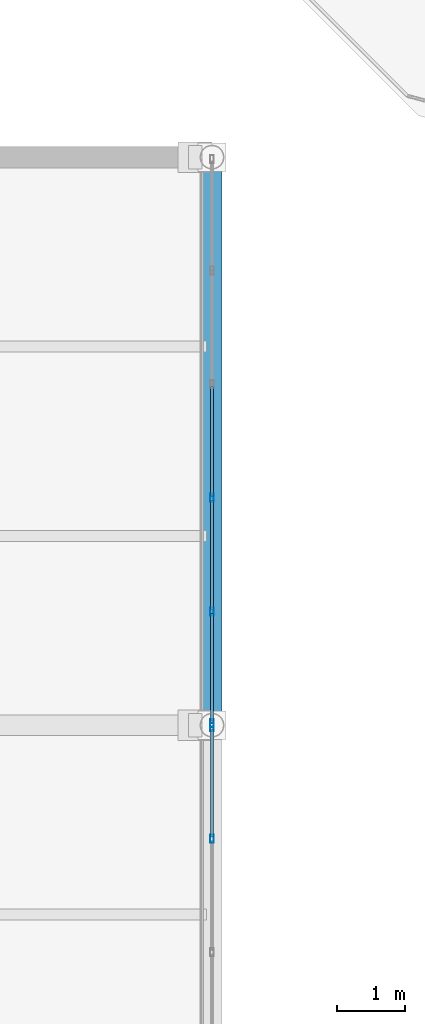
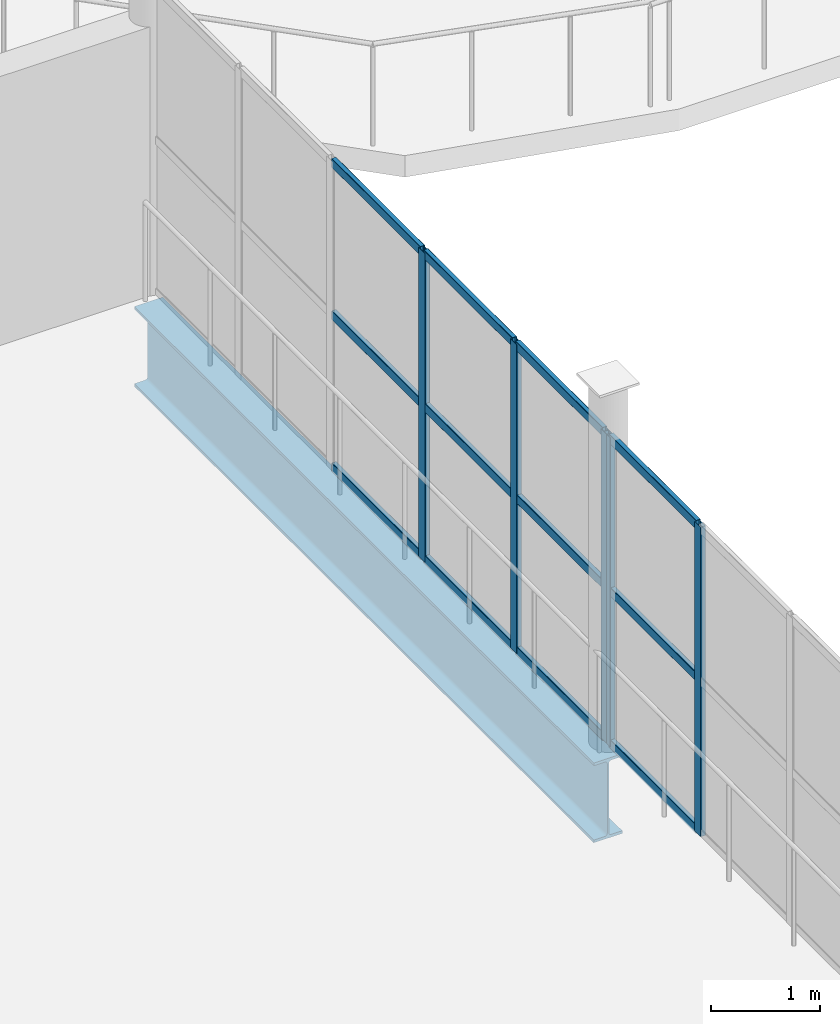
# One storey, part 66 of 184: 17 members, 1 beam, 2 elements without a shape of their own.
"""IFC4 building model written with IfcOpenShell, lengths in metres."""

import ifcopenshell
import ifcopenshell.guid

model = None  # the IFC model being written
_history = None  # IfcOwnerHistory: only IFC2X3 demands one
_inside = {}  # id of a spatial element -> (the spatial element, [elements in it])
_under = {}  # id of a project, library or spatial element -> (it, [spatial elements below it])
_declared = {}  # id of a project -> (the project, [libraries it declares])
_typed = {}  # id of a type object -> (the type object, [elements of that type])
_made_of = {}  # id of a material, layer set ... -> (it, [elements and type objects made of it])


def new_model(schema):
    """Start an empty IFC model of exactly this schema.

    Asked for "IFC4X3", IfcOpenShell would pick the latest addendum, in which some entities
    have other attributes; the version numbers below select the first issue.
    IFC2X3 requires an IfcOwnerHistory on every rooted entity: one is made here for all.
    """
    global model, _history
    if schema == "IFC4X3":
        model = ifcopenshell.file(schema_version=(4, 3, 0, 0))
    else:
        model = ifcopenshell.file(schema=schema)
    _inside.clear()
    _under.clear()
    _declared.clear()
    _typed.clear()
    _made_of.clear()
    _history = None
    if model.schema == "IFC2X3":
        org = make("IfcOrganization", Name="unknown")
        user = make(
            "IfcPersonAndOrganization",
            ThePerson=make("IfcPerson", FamilyName="unknown"),
            TheOrganization=org,
        )
        app = make(
            "IfcApplication",
            ApplicationDeveloper=org,
            Version="unknown",
            ApplicationFullName="unknown",
            ApplicationIdentifier="unknown",
        )
        _history = make(
            "IfcOwnerHistory",
            OwningUser=user,
            OwningApplication=app,
            ChangeAction="ADDED",
            CreationDate=0,
        )
    return model


def make(cls, **values):
    """One entity of the class cls with the attributes given. An attribute that is None is left unset."""
    return model.create_entity(
        cls, **{name: value for name, value in values.items() if value is not None}
    )


def rooted(cls, **values):
    """An entity with a GlobalId (a new one), such as an element, a storey or a relation."""
    return make(cls, GlobalId=ifcopenshell.guid.new(), OwnerHistory=_history, **values)


def si_unit(unit_type, name, prefix=None):
    """IfcSIUnit, for example si_unit("LENGTHUNIT", "METRE", prefix="MILLI")."""
    return make("IfcSIUnit", UnitType=unit_type, Prefix=prefix, Name=name)


def assignment(units):
    """IfcUnitAssignment: the units of a project."""
    return None if units is None else make("IfcUnitAssignment", Units=units)


def point(xyz):
    """IfcCartesianPoint."""
    return None if xyz is None else make("IfcCartesianPoint", Coordinates=xyz)


def direction(xyz):
    """IfcDirection."""
    return None if xyz is None else make("IfcDirection", DirectionRatios=xyz)


def frame(location, z_axis=None, x_axis=None):
    """IfcAxis2Placement3D, a coordinate frame: its origin and axes. An axis left out is left unset."""
    return make(
        "IfcAxis2Placement3D",
        Location=point(location),
        Axis=direction(z_axis),
        RefDirection=direction(x_axis),
    )


def frame_2d(location, x_axis=None):
    """IfcAxis2Placement2D, a coordinate frame in the plane: its origin and x axis."""
    return make(
        "IfcAxis2Placement2D", Location=point(location), RefDirection=direction(x_axis)
    )


def origin():
    """The frame at (0, 0, 0) with its axes left unset."""
    return frame((0.0, 0.0, 0.0))


def origin_2d():
    """The frame at (0, 0) in the plane with its x axis left unset."""
    return frame_2d((0.0, 0.0))


def place(relative_to, where):
    """IfcLocalPlacement: puts the frame where relative to a parent placement (None: the world)."""
    return make(
        "IfcLocalPlacement", PlacementRelTo=relative_to, RelativePlacement=where
    )


def context(
    kind, dimensions, precision=None, world=None, true_north=None, identifier=None
):
    """IfcGeometricRepresentationContext, for example the 3D "Model" context."""
    return make(
        "IfcGeometricRepresentationContext",
        ContextIdentifier=identifier,
        ContextType=kind,
        CoordinateSpaceDimension=dimensions,
        Precision=precision,
        WorldCoordinateSystem=world,
        TrueNorth=true_north,
    )


def subcontext(parent, identifier, kind, view, scale=None):
    """IfcGeometricRepresentationSubContext, for example "Body" below "Model"."""
    return make(
        "IfcGeometricRepresentationSubContext",
        ContextIdentifier=identifier,
        ContextType=kind,
        ParentContext=parent,
        TargetScale=scale,
        TargetView=view,
    )


def project(units=None, contexts=None):
    """IfcProject with its units and contexts."""
    return rooted(
        "IfcProject",
        Name="project",
        RepresentationContexts=contexts,
        UnitsInContext=assignment(units),
    )


def spatial(cls, under=None, at=None, **own):
    """A site, building, storey or space (cls), placed at a placement, below another one or the project."""
    s = rooted(cls, ObjectPlacement=at, **own)
    if under is not None:
        _under.setdefault(under.id(), (under, []))[1].append(s)
    return s


def profile(cls, at=None, kind="AREA", **sizes):
    """A parametric profile (cls). Its sizes go by their IFC names, for example OverallWidth=200.0."""
    return make(cls, ProfileType=kind, Position=at, **sizes)


def hollow_rectangle(**sizes):
    """IfcRectangleHollowProfileDef."""
    return profile("IfcRectangleHollowProfileDef", **sizes)


def i_section(**sizes):
    """IfcIShapeProfileDef."""
    return profile("IfcIShapeProfileDef", **sizes)


def extrude(swept, where, along, depth):
    """IfcExtrudedAreaSolid: the profile swept, set in the frame where, extruded along a direction by depth."""
    return make(
        "IfcExtrudedAreaSolid",
        SweptArea=swept,
        Position=where,
        ExtrudedDirection=direction(along),
        Depth=depth,
    )


def shape(context_of_items, identifier, shape_type, items):
    """IfcShapeRepresentation: the items that make up one representation, for example the "Body"."""
    return make(
        "IfcShapeRepresentation",
        ContextOfItems=context_of_items,
        RepresentationIdentifier=identifier,
        RepresentationType=shape_type,
        Items=items,
    )


def material(Name=None, Category=None):
    """IfcMaterial."""
    return make("IfcMaterial", Name=Name, Category=Category)


def layer(
    of_material, thickness, ventilated=None, Name=None, Category=None, Priority=None
):
    """IfcMaterialLayer: one layer of a wall or slab, of a material (None: an air gap)."""
    return make(
        "IfcMaterialLayer",
        Material=of_material,
        LayerThickness=thickness,
        IsVentilated=ventilated,
        Name=Name,
        Category=Category,
        Priority=Priority,
    )


def layer_set(layers, Name=None):
    """IfcMaterialLayerSet."""
    return make("IfcMaterialLayerSet", MaterialLayers=layers, LayerSetName=Name)


def material_profile(
    of_material, cross_section, Name=None, Category=None, Priority=None
):
    """IfcMaterialProfile: a cross section and its material."""
    return make(
        "IfcMaterialProfile",
        Name=Name,
        Material=of_material,
        Profile=cross_section,
        Priority=Priority,
        Category=Category,
    )


def profile_set(profiles, Name=None, composite=None):
    """IfcMaterialProfileSet."""
    return make(
        "IfcMaterialProfileSet",
        Name=Name,
        MaterialProfiles=profiles,
        CompositeProfile=composite,
    )


def made_of(thing, what):
    """Note that an element or type object is made of a material, layer set ...; save() writes the relation."""
    if what is not None:
        _made_of.setdefault(what.id(), (what, []))[1].append(thing)
    return thing


def type_object(cls, material=None, **own):
    """A type object (cls), such as IfcWallType, which elements share."""
    return made_of(rooted(cls, **own), material)


def element(
    cls,
    number,
    at=None,
    inside=None,
    cuts=None,
    type_object=None,
    material=None,
    context=None,
    identifier="Body",
    shape_type=None,
    held_by="IfcProductDefinitionShape",
    body=None,
    shapes=None,
    **own,
):
    """One element of the class cls, such as IfcWall. Its Tag is "e" and its number.

    at: its placement. inside: the storey or other place that contains it. cuts: it is an
    opening in that element (IfcRelVoidsElement). A single representation is given by context,
    identifier, shape_type and body (its items); several are given by shapes. held_by: the class
    of the entity that holds the representations. save() writes the other relations.
    """
    e = rooted(cls, Tag="e%d" % number, ObjectPlacement=at, **own)
    if body is not None:
        shapes = [shape(context, identifier, shape_type, body)]
    if shapes is not None:
        e.Representation = make(held_by, Representations=shapes)
    if inside is not None:
        _inside.setdefault(inside.id(), (inside, []))[1].append(e)
    if cuts is not None:
        rooted(
            "IfcRelVoidsElement", RelatingBuildingElement=cuts, RelatedOpeningElement=e
        )
    if type_object is not None:
        _typed.setdefault(type_object.id(), (type_object, []))[1].append(e)
    return made_of(e, material)


def aggregate(whole, parts):
    """IfcRelAggregates: a whole, such as a stair, and the parts it consists of."""
    return rooted("IfcRelAggregates", RelatingObject=whole, RelatedObjects=parts)


def save(model, path):
    """Write the relations noted so far, then the file.

    IfcRelAggregates (storeys below a building ...), IfcRelContainedInSpatialStructure (elements
    in a storey), IfcRelDefinesByType, IfcRelAssociatesMaterial and IfcRelDeclares: one each for
    every whole, place, type object, material and project.
    """
    for whole, parts in _under.values():
        aggregate(whole, parts)
    for where, things in _inside.values():
        rooted(
            "IfcRelContainedInSpatialStructure",
            RelatedElements=things,
            RelatingStructure=where,
        )
    for kind, things in _typed.values():
        rooted("IfcRelDefinesByType", RelatedObjects=things, RelatingType=kind)
    for what, things in _made_of.values():
        rooted("IfcRelAssociatesMaterial", RelatedObjects=things, RelatingMaterial=what)
    for by, libraries in _declared.values():
        rooted("IfcRelDeclares", RelatingContext=by, RelatedDefinitions=libraries)
    model.write(path)


model = new_model("IFC4")

# Units and contexts
model_context = context("Model", 3, precision=1e-05, world=origin(), true_north=direction((0.0, 1.0)))
body_context = subcontext(model_context, "Body", "Model", "MODEL_VIEW")
ifc_project = project(units=[si_unit("LENGTHUNIT", "METRE"), si_unit("AREAUNIT", "SQUARE_METRE"), si_unit("VOLUMEUNIT", "CUBIC_METRE"), si_unit("PLANEANGLEUNIT", "RADIAN"), si_unit("MASSUNIT", "GRAM", prefix="KILO")], contexts=[model_context])

# Site, building, storey
site_placement = place(None, origin())
site = spatial("IfcSite", under=ifc_project, at=site_placement, CompositionType="ELEMENT")
building_placement = place(site_placement, origin())
building = spatial("IfcBuilding", under=site, at=building_placement, Name="Qalvenar Corner Mobility Hub", CompositionType="ELEMENT")
storey_placement = place(building_placement, frame((0.0, 0.0, 9.0)))
storey = spatial("IfcBuildingStorey", under=building, at=storey_placement, Name="L02", CompositionType="ELEMENT", Elevation=9.0)

# Beam
ifc_material_1 = material(Name="Steel S355", Category="steel")
ifc_material_profile_1 = material_profile(ifc_material_1, i_section(OverallWidth=0.300048828125, OverallDepth=0.889892578125, WebThickness=0.01611328125, FlangeThickness=0.030029296875, FilletRadius=0.027099609375, at=origin_2d()), Name="HEA900")
ifc_profile_set_1 = profile_set([ifc_material_profile_1], Name="Steel S355")
beam_type = type_object("IfcBeamType", Name="BM-BRG900", PredefinedType="BEAM", material=ifc_profile_set_1)
beam_placement = place(storey_placement, frame((58.800048828125, 58.800048828125, -0.635009765625), z_axis=(0.0, 1.0, 0.0), x_axis=(-1.0, 0.0, 0.0)))
element("IfcBeam", 1, at=beam_placement, inside=storey, type_object=beam_type, Name="Court Link Bridge Girder BRG-2179", PredefinedType="BEAM", context=body_context, shape_type="SweptSolid", body=[
    extrude(i_section(OverallWidth=0.300048828125, OverallDepth=0.889892578125, WebThickness=0.01611328125, FlangeThickness=0.030029296875, FilletRadius=0.027099609375, at=origin_2d()), origin(), (0.0, 0.0, 1.0), 8.39990234375),
])

# Curtain wall, members
ifc_material_2 = material(Name="Anodised Aluminium and Low-E Glazing", Category="aluminium")
ifc_layer = layer(ifc_material_2, 0.1201171875)
ifc_layer_set = layer_set([ifc_layer], Name="Anodised Aluminium and Low-E Glazing")
curtain_wall_type = type_object("IfcCurtainWallType", Name="CW-BRG-84X28", PredefinedType="NOTDEFINED", material=ifc_layer_set)
curtain_wall_1_placement = place(storey_placement, origin())
curtain_wall_1 = element("IfcCurtainWall", 2, at=curtain_wall_1_placement, inside=storey, type_object=curtain_wall_type, Name="Glazed Curtain Wall CW-BRG-L02-E2", PredefinedType="NOTDEFINED")
ifc_material_3 = material(Name="Anodised Aluminium 6063-T6", Category="aluminium")
ifc_material_profile_2 = material_profile(ifc_material_3, hollow_rectangle(XDim=0.054931640625, YDim=0.1201171875, WallThickness=0.00341796875, InnerFilletRadius=0.00341796875, OuterFilletRadius=0.007080078125, at=origin_2d()), Name="RHS120x55x3.5")
ifc_profile_set_2 = profile_set([ifc_material_profile_2], Name="Anodised Aluminium 6063-T6")
member_type_1 = type_object("IfcMemberType", Name="CW-MUL120", PredefinedType="MULLION", material=ifc_profile_set_2)
member_1_placement = place(storey_placement, frame((58.800048828125, 57.1201171875, 0.0), z_axis=(0.0, 0.0, 1.0), x_axis=(-1.0, 0.0, 0.0)))
member_1 = element("IfcMember", 3, at=member_1_placement, type_object=member_type_1, Name="CW-11 mullion 5", PredefinedType="MULLION", context=body_context, shape_type="SweptSolid", body=[
    extrude(hollow_rectangle(XDim=0.054931640625, YDim=0.1201171875, WallThickness=0.00341796875, InnerFilletRadius=0.00341796875, OuterFilletRadius=0.007080078125, at=origin_2d()), origin(), (0.0, 0.0, 1.0), 3.449951171875),
])
member_2_placement = place(storey_placement, frame((58.800048828125, 58.77001953125, 0.0), z_axis=(0.0, 0.0, 1.0), x_axis=(-1.0, 0.0, 0.0)))
member_2 = element("IfcMember", 4, at=member_2_placement, type_object=member_type_1, Name="CW-11 mullion 6", PredefinedType="MULLION", context=body_context, shape_type="SweptSolid", body=[
    extrude(hollow_rectangle(XDim=0.054931640625, YDim=0.1201171875, WallThickness=0.00341796875, InnerFilletRadius=0.00341796875, OuterFilletRadius=0.007080078125, at=origin_2d()), origin(), (0.0, 0.0, 1.0), 3.449951171875),
])

curtain_wall_2_placement = place(storey_placement, origin())
curtain_wall_2 = element("IfcCurtainWall", 5, at=curtain_wall_2_placement, inside=storey, type_object=curtain_wall_type, Name="Glazed Curtain Wall CW-BRG-L02-E3", PredefinedType="NOTDEFINED")
member_3_placement = place(storey_placement, frame((58.800048828125, 58.830078125, 0.0), z_axis=(0.0, 0.0, 1.0), x_axis=(-1.0, 0.0, 0.0)))
member_3 = element("IfcMember", 6, at=member_3_placement, type_object=member_type_1, Name="CW-11 mullion 1", PredefinedType="MULLION", context=body_context, shape_type="SweptSolid", body=[
    extrude(hollow_rectangle(XDim=0.054931640625, YDim=0.1201171875, WallThickness=0.00341796875, InnerFilletRadius=0.00341796875, OuterFilletRadius=0.007080078125, at=origin_2d()), origin(), (0.0, 0.0, 1.0), 3.449951171875),
])
member_4_placement = place(storey_placement, frame((58.800048828125, 60.47998046875, 0.0), z_axis=(0.0, 0.0, 1.0), x_axis=(-1.0, 0.0, 0.0)))
member_4 = element("IfcMember", 7, at=member_4_placement, type_object=member_type_1, Name="CW-11 mullion 2", PredefinedType="MULLION", context=body_context, shape_type="SweptSolid", body=[
    extrude(hollow_rectangle(XDim=0.054931640625, YDim=0.1201171875, WallThickness=0.00341796875, InnerFilletRadius=0.00341796875, OuterFilletRadius=0.007080078125, at=origin_2d()), origin(), (0.0, 0.0, 1.0), 3.449951171875),
])
member_5_placement = place(storey_placement, frame((58.800048828125, 62.159912109375, 0.0), z_axis=(0.0, 0.0, 1.0), x_axis=(-1.0, 0.0, 0.0)))
member_5 = element("IfcMember", 8, at=member_5_placement, type_object=member_type_1, Name="CW-11 mullion 3", PredefinedType="MULLION", context=body_context, shape_type="SweptSolid", body=[
    extrude(hollow_rectangle(XDim=0.054931640625, YDim=0.1201171875, WallThickness=0.00341796875, InnerFilletRadius=0.00341796875, OuterFilletRadius=0.007080078125, at=origin_2d()), origin(), (0.0, 0.0, 1.0), 3.449951171875),
])

# Member
ifc_material_profile_3 = material_profile(ifc_material_3, hollow_rectangle(XDim=0.050048828125, YDim=0.10009765625, WallThickness=0.0029296875, InnerFilletRadius=0.0029296875, OuterFilletRadius=0.006103515625, at=origin_2d()), Name="RHS100x50x3")
ifc_profile_set_3 = profile_set([ifc_material_profile_3], Name="Anodised Aluminium 6063-T6")
member_type_2 = type_object("IfcMemberType", Name="CW-TRN100", PredefinedType="USERDEFINED", material=ifc_profile_set_3)
member_6_placement = place(storey_placement, frame((58.800048828125, 57.14990234375, 0.027587890625), z_axis=(0.0, 1.0, 0.0), x_axis=(-1.0, 0.0, 0.0)))
member_6 = element("IfcMember", 9, at=member_6_placement, type_object=member_type_2, Name="CW-11 transom 5.1", ObjectType="TRANSOM", PredefinedType="USERDEFINED", context=body_context, shape_type="SweptSolid", body=[
    extrude(hollow_rectangle(XDim=0.050048828125, YDim=0.10009765625, WallThickness=0.0029296875, InnerFilletRadius=0.0029296875, OuterFilletRadius=0.006103515625, at=origin_2d()), origin(), (0.0, 0.0, 1.0), 1.590087890625),
])

member_7_placement = place(storey_placement, frame((58.800048828125, 57.14990234375, 1.72509765625), z_axis=(0.0, 1.0, 0.0), x_axis=(-1.0, 0.0, 0.0)))
member_7 = element("IfcMember", 10, at=member_7_placement, type_object=member_type_2, Name="CW-11 transom 5.2", ObjectType="TRANSOM", PredefinedType="USERDEFINED", context=body_context, shape_type="SweptSolid", body=[
    extrude(hollow_rectangle(XDim=0.050048828125, YDim=0.10009765625, WallThickness=0.0029296875, InnerFilletRadius=0.0029296875, OuterFilletRadius=0.006103515625, at=origin_2d()), origin(), (0.0, 0.0, 1.0), 1.590087890625),
])

member_8_placement = place(storey_placement, frame((58.800048828125, 57.14990234375, 3.422607421875), z_axis=(0.0, 1.0, 0.0), x_axis=(-1.0, 0.0, 0.0)))
member_8 = element("IfcMember", 11, at=member_8_placement, type_object=member_type_2, Name="CW-11 transom 5.3", ObjectType="TRANSOM", PredefinedType="USERDEFINED", context=body_context, shape_type="SweptSolid", body=[
    extrude(hollow_rectangle(XDim=0.050048828125, YDim=0.10009765625, WallThickness=0.0029296875, InnerFilletRadius=0.0029296875, OuterFilletRadius=0.006103515625, at=origin_2d()), origin(), (0.0, 0.0, 1.0), 1.590087890625),
])

aggregate(curtain_wall_1, [member_1, member_2, member_6, member_7, member_8])

member_9_placement = place(storey_placement, frame((58.800048828125, 58.860107421875, 0.027587890625), z_axis=(0.0, 1.0, 0.0), x_axis=(-1.0, 0.0, 0.0)))
member_9 = element("IfcMember", 12, at=member_9_placement, type_object=member_type_2, Name="CW-11 transom 1.1", ObjectType="TRANSOM", PredefinedType="USERDEFINED", context=body_context, shape_type="SweptSolid", body=[
    extrude(hollow_rectangle(XDim=0.050048828125, YDim=0.10009765625, WallThickness=0.0029296875, InnerFilletRadius=0.0029296875, OuterFilletRadius=0.006103515625, at=origin_2d()), origin(), (0.0, 0.0, 1.0), 1.58984375),
])

member_10_placement = place(storey_placement, frame((58.800048828125, 58.860107421875, 1.72509765625), z_axis=(0.0, 1.0, 0.0), x_axis=(-1.0, 0.0, 0.0)))
member_10 = element("IfcMember", 13, at=member_10_placement, type_object=member_type_2, Name="CW-11 transom 1.2", ObjectType="TRANSOM", PredefinedType="USERDEFINED", context=body_context, shape_type="SweptSolid", body=[
    extrude(hollow_rectangle(XDim=0.050048828125, YDim=0.10009765625, WallThickness=0.0029296875, InnerFilletRadius=0.0029296875, OuterFilletRadius=0.006103515625, at=origin_2d()), origin(), (0.0, 0.0, 1.0), 1.58984375),
])

member_11_placement = place(storey_placement, frame((58.800048828125, 58.860107421875, 3.422607421875), z_axis=(0.0, 1.0, 0.0), x_axis=(-1.0, 0.0, 0.0)))
member_11 = element("IfcMember", 14, at=member_11_placement, type_object=member_type_2, Name="CW-11 transom 1.3", ObjectType="TRANSOM", PredefinedType="USERDEFINED", context=body_context, shape_type="SweptSolid", body=[
    extrude(hollow_rectangle(XDim=0.050048828125, YDim=0.10009765625, WallThickness=0.0029296875, InnerFilletRadius=0.0029296875, OuterFilletRadius=0.006103515625, at=origin_2d()), origin(), (0.0, 0.0, 1.0), 1.58984375),
])

member_12_placement = place(storey_placement, frame((58.800048828125, 60.510009765625, 0.027587890625), z_axis=(0.0, 1.0, 0.0), x_axis=(-1.0, 0.0, 0.0)))
member_12 = element("IfcMember", 15, at=member_12_placement, type_object=member_type_2, Name="CW-11 transom 2.1", ObjectType="TRANSOM", PredefinedType="USERDEFINED", context=body_context, shape_type="SweptSolid", body=[
    extrude(hollow_rectangle(XDim=0.050048828125, YDim=0.10009765625, WallThickness=0.0029296875, InnerFilletRadius=0.0029296875, OuterFilletRadius=0.006103515625, at=origin_2d()), origin(), (0.0, 0.0, 1.0), 1.619873046875),
])

member_13_placement = place(storey_placement, frame((58.800048828125, 60.510009765625, 1.72509765625), z_axis=(0.0, 1.0, 0.0), x_axis=(-1.0, 0.0, 0.0)))
member_13 = element("IfcMember", 16, at=member_13_placement, type_object=member_type_2, Name="CW-11 transom 2.2", ObjectType="TRANSOM", PredefinedType="USERDEFINED", context=body_context, shape_type="SweptSolid", body=[
    extrude(hollow_rectangle(XDim=0.050048828125, YDim=0.10009765625, WallThickness=0.0029296875, InnerFilletRadius=0.0029296875, OuterFilletRadius=0.006103515625, at=origin_2d()), origin(), (0.0, 0.0, 1.0), 1.619873046875),
])

member_14_placement = place(storey_placement, frame((58.800048828125, 60.510009765625, 3.422607421875), z_axis=(0.0, 1.0, 0.0), x_axis=(-1.0, 0.0, 0.0)))
member_14 = element("IfcMember", 17, at=member_14_placement, type_object=member_type_2, Name="CW-11 transom 2.3", ObjectType="TRANSOM", PredefinedType="USERDEFINED", context=body_context, shape_type="SweptSolid", body=[
    extrude(hollow_rectangle(XDim=0.050048828125, YDim=0.10009765625, WallThickness=0.0029296875, InnerFilletRadius=0.0029296875, OuterFilletRadius=0.006103515625, at=origin_2d()), origin(), (0.0, 0.0, 1.0), 1.619873046875),
])

member_15_placement = place(storey_placement, frame((58.800048828125, 62.18994140625, 0.027587890625), z_axis=(0.0, 1.0, 0.0), x_axis=(-1.0, 0.0, 0.0)))
member_15 = element("IfcMember", 18, at=member_15_placement, type_object=member_type_2, Name="CW-11 transom 3.1", ObjectType="TRANSOM", PredefinedType="USERDEFINED", context=body_context, shape_type="SweptSolid", body=[
    extrude(hollow_rectangle(XDim=0.050048828125, YDim=0.10009765625, WallThickness=0.0029296875, InnerFilletRadius=0.0029296875, OuterFilletRadius=0.006103515625, at=origin_2d()), origin(), (0.0, 0.0, 1.0), 1.6201171875),
])

member_16_placement = place(storey_placement, frame((58.800048828125, 62.18994140625, 1.72509765625), z_axis=(0.0, 1.0, 0.0), x_axis=(-1.0, 0.0, 0.0)))
member_16 = element("IfcMember", 19, at=member_16_placement, type_object=member_type_2, Name="CW-11 transom 3.2", ObjectType="TRANSOM", PredefinedType="USERDEFINED", context=body_context, shape_type="SweptSolid", body=[
    extrude(hollow_rectangle(XDim=0.050048828125, YDim=0.10009765625, WallThickness=0.0029296875, InnerFilletRadius=0.0029296875, OuterFilletRadius=0.006103515625, at=origin_2d()), origin(), (0.0, 0.0, 1.0), 1.6201171875),
])

member_17_placement = place(storey_placement, frame((58.800048828125, 62.18994140625, 3.422607421875), z_axis=(0.0, 1.0, 0.0), x_axis=(-1.0, 0.0, 0.0)))
member_17 = element("IfcMember", 20, at=member_17_placement, type_object=member_type_2, Name="CW-11 transom 3.3", ObjectType="TRANSOM", PredefinedType="USERDEFINED", context=body_context, shape_type="SweptSolid", body=[
    extrude(hollow_rectangle(XDim=0.050048828125, YDim=0.10009765625, WallThickness=0.0029296875, InnerFilletRadius=0.0029296875, OuterFilletRadius=0.006103515625, at=origin_2d()), origin(), (0.0, 0.0, 1.0), 1.6201171875),
])

aggregate(curtain_wall_2, [member_3, member_4, member_5, member_9, member_10, member_11, member_12, member_13, member_14, member_15, member_16, member_17])

save(model, "model.ifc")
